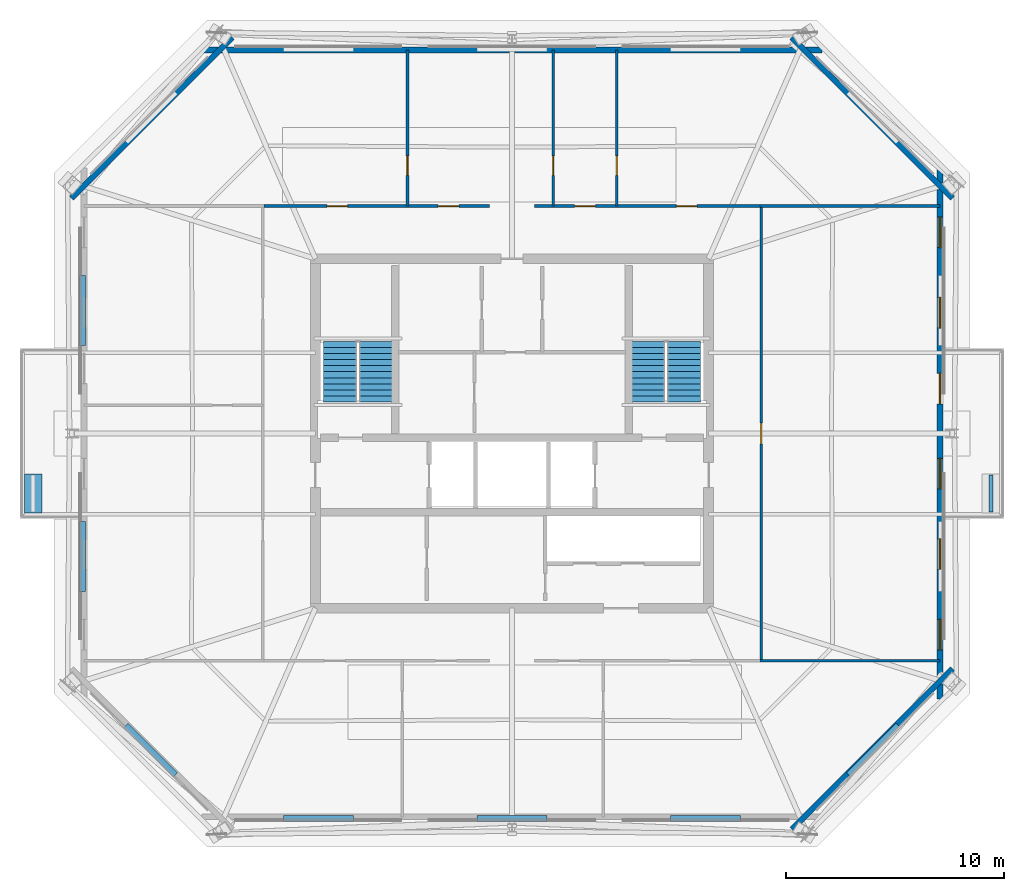
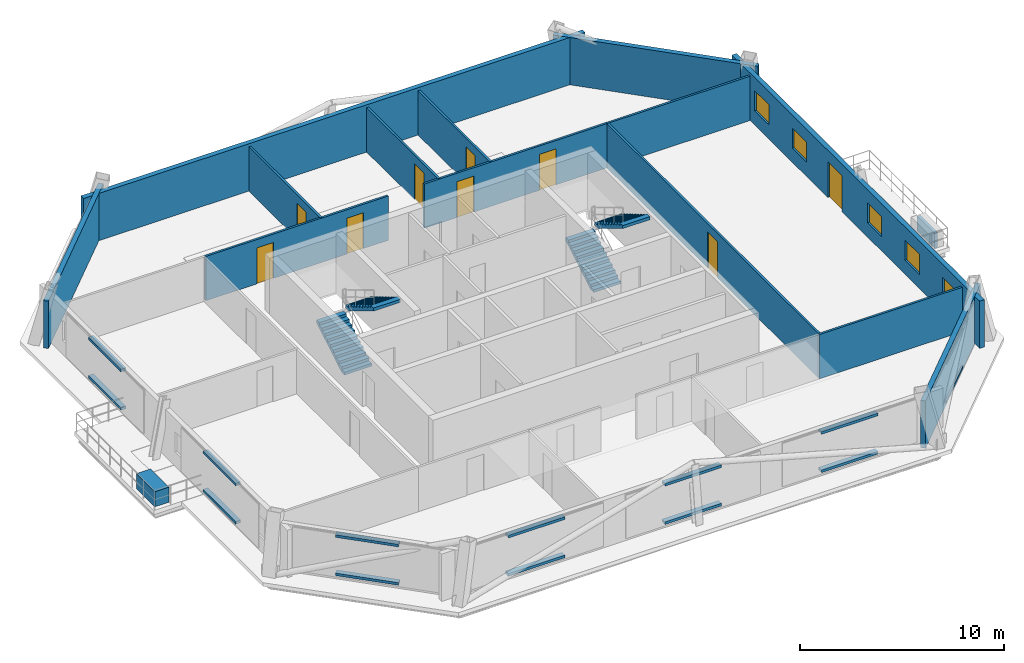
# One storey, part 4 of 7: 14 discrete accessories, 14 walls, 9 doors, 5 windows, 4 stair flights, 14 openings, 2 elements without a shape of their own.
"""IFC4 building model written with IfcOpenShell, lengths in metres."""

from ifc_helpers import new_model, si_unit, direction, frame, frame_2d, origin, origin_2d, place, context, subcontext, project, spatial, polyline, rectangle, outline, extrude, material, layer, layer_set, type_object, element, fill, aggregate, save


model = new_model("IFC4")

# Units and contexts
model_context = context("Model", 3, precision=1e-05, world=origin(), true_north=direction((0.0, 1.0)))
body_context = subcontext(model_context, "Body", "Model", "MODEL_VIEW")
ifc_project = project(units=[si_unit("LENGTHUNIT", "METRE"), si_unit("AREAUNIT", "SQUARE_METRE"), si_unit("VOLUMEUNIT", "CUBIC_METRE"), si_unit("PLANEANGLEUNIT", "RADIAN"), si_unit("MASSUNIT", "GRAM", prefix="KILO")], contexts=[model_context])

# Site, building, storey
site_placement = place(None, origin())
site = spatial("IfcSite", under=ifc_project, at=site_placement, CompositionType="ELEMENT")
building_placement = place(site_placement, origin())
building = spatial("IfcBuilding", under=site, at=building_placement, Name="Caelvoria Tower", CompositionType="ELEMENT")
storey_placement = place(building_placement, frame((0.0, 0.0, 227.39990234375)))
storey = spatial("IfcBuildingStorey", under=building, at=storey_placement, Name="L60", CompositionType="ELEMENT", Elevation=227.39990234375)

# Wall
ifc_material_1 = material(Name="Bronze-Clad Concrete C40/50", Category="concrete")
ifc_layer_1 = layer(ifc_material_1, 0.179931640625, Name="Bronze-Clad Concrete C40/50")
ifc_layer_set_1 = layer_set([ifc_layer_1], Name="Architectural Planter Kerb Wall 180 - Bronze-Clad Concrete C40/50")
wall_type_1 = type_object("IfcWallType", Name="Architectural Planter Kerb Wall 180", PredefinedType="PARAPET", material=ifc_layer_set_1)
wall_1_placement = place(storey_placement, frame((67.922607421875, 28.39990234375, 0.0), z_axis=(0.0, 0.0, 1.0), x_axis=(0.0, 1.0, 0.0)))
element("IfcWall", 1, at=wall_1_placement, inside=storey, type_object=wall_type_1, Name="Tree Balcony Planter Kerb PLANTER TB-L60-E", PredefinedType="PARAPET", context=body_context, shape_type="SweptSolid", body=[
    extrude(rectangle(XDim=1.7001953125, YDim=0.179931640625, at=frame_2d((0.85009765625, 0.0))), origin(), (0.0, 0.0, 1.0), 0.880126953125),
])

# Wall, opening, door
ifc_material_2 = material(Name="Acoustic Gypsum Board on Light-Gauge Stud", Category="gypsum")
ifc_layer_2 = layer(ifc_material_2, 0.1201171875, Name="Acoustic Gypsum Board on Light-Gauge Stud")
ifc_layer_set_2 = layer_set([ifc_layer_2], Name="Tenant Suite Acoustic Partition Wall 120 - Acoustic Gypsum Board on Light-Gauge Stud")
wall_type_2 = type_object("IfcWallType", Name="Tenant Suite Acoustic Partition Wall 120", PredefinedType="PARTITIONING", material=ifc_layer_set_2)
wall_2_placement = place(storey_placement, frame((41.217041015625, 42.409912109375, 0.0), z_axis=(0.0, 0.0, 1.0), x_axis=(0.0, 1.0, 0.0)))
wall_2 = element("IfcWall", 2, at=wall_2_placement, inside=storey, type_object=wall_type_2, Name="Interior Partition IW-L60-ND-00-0", PredefinedType="PARTITIONING", context=body_context, shape_type="SweptSolid", body=[
    extrude(rectangle(XDim=7.137451171875, YDim=0.1201171875, at=frame_2d((3.56884765625, 0.0))), origin(), (0.0, 0.0, 1.0), 2.655029296875),
])
opening_1_placement = place(wall_2_placement, frame((1.39990234375, 0.0, 0.0)))
opening_1 = element("IfcOpeningElement", 3, at=opening_1_placement, cuts=wall_2, Name="Opening ID-06", PredefinedType="OPENING", context=body_context, shape_type="SweptSolid", body=[
    extrude(rectangle(XDim=0.89990234375, YDim=2.14990234375, at=frame_2d((0.449951171875, 1.074951171875))), frame((0.0, 0.070068359375, 0.0), z_axis=(0.0, -1.0, 0.0), x_axis=(1.0, 0.0, 0.0)), (0.0, 0.0, 1.0), 0.14013671875),
])
ifc_material_3 = material(Name="Engineered Andean Oak Veneer Door", Category="wood")
door_type_1 = type_object("IfcDoorType", Name="Interior Timber Door 900x2150", OperationType="NOTDEFINED", PredefinedType="DOOR", material=ifc_material_3)
door_1_placement = place(opening_1_placement, origin())
door_1 = element("IfcDoor", 4, at=door_1_placement, inside=storey, type_object=door_type_1, Name="Interior Door DR-L60-NM-00-0", OperationType="SINGLE_SWING_RIGHT", OverallHeight=2.14990234375, OverallWidth=0.89990234375, PredefinedType="DOOR", context=body_context, shape_type="SweptSolid", body=[
    extrude(rectangle(XDim=0.89990234375, YDim=2.14990234375, at=frame_2d((0.449951171875, 1.074951171875))), frame((0.0, 0.02490234375, 0.0), z_axis=(0.0, -1.0, 0.0), x_axis=(1.0, 0.0, 0.0)), (0.0, 0.0, 1.0), 0.050048828125),
])
fill(opening_1, door_1)

wall_3_placement = place(storey_placement, frame((47.884521484375, 42.409912109375, 0.0), z_axis=(0.0, 0.0, 1.0), x_axis=(0.0, 1.0, 0.0)))
wall_3 = element("IfcWall", 5, at=wall_3_placement, inside=storey, type_object=wall_type_2, Name="Interior Partition IW-L60-ND-01-0", PredefinedType="PARTITIONING", context=body_context, shape_type="SweptSolid", body=[
    extrude(rectangle(XDim=7.137451171875, YDim=0.1201171875, at=frame_2d((3.56884765625, 0.0))), origin(), (0.0, 0.0, 1.0), 2.655029296875),
])
opening_2_placement = place(wall_3_placement, frame((1.39990234375, 0.0, 0.0)))
opening_2 = element("IfcOpeningElement", 6, at=opening_2_placement, cuts=wall_3, Name="Opening ID-06", PredefinedType="OPENING", context=body_context, shape_type="SweptSolid", body=[
    extrude(rectangle(XDim=0.89990234375, YDim=2.14990234375, at=frame_2d((0.449951171875, 1.074951171875))), frame((0.0, 0.070068359375, 0.0), z_axis=(0.0, -1.0, 0.0), x_axis=(1.0, 0.0, 0.0)), (0.0, 0.0, 1.0), 0.14013671875),
])
door_2_placement = place(opening_2_placement, origin())
door_2 = element("IfcDoor", 7, at=door_2_placement, inside=storey, type_object=door_type_1, Name="Interior Door DR-L60-NM-01-0", OperationType="SINGLE_SWING_LEFT", OverallHeight=2.14990234375, OverallWidth=0.89990234375, PredefinedType="DOOR", context=body_context, shape_type="SweptSolid", body=[
    extrude(rectangle(XDim=0.89990234375, YDim=2.14990234375, at=frame_2d((0.449951171875, 1.074951171875))), frame((0.0, 0.02490234375, 0.0), z_axis=(0.0, -1.0, 0.0), x_axis=(1.0, 0.0, 0.0)), (0.0, 0.0, 1.0), 0.050048828125),
])
fill(opening_2, door_2)

wall_4_placement = place(storey_placement, frame((50.796875, 42.409912109375, 0.0), z_axis=(0.0, 0.0, 1.0), x_axis=(0.0, 1.0, 0.0)))
wall_4 = element("IfcWall", 8, at=wall_4_placement, inside=storey, type_object=wall_type_2, Name="Interior Partition IW-L60-ND-02-0", PredefinedType="PARTITIONING", context=body_context, shape_type="SweptSolid", body=[
    extrude(rectangle(XDim=7.137451171875, YDim=0.1201171875, at=frame_2d((3.56884765625, 0.0))), origin(), (0.0, 0.0, 1.0), 2.655029296875),
])
opening_3_placement = place(wall_4_placement, frame((1.39990234375, 0.0, 0.0)))
opening_3 = element("IfcOpeningElement", 9, at=opening_3_placement, cuts=wall_4, Name="Opening ID-06", PredefinedType="OPENING", context=body_context, shape_type="SweptSolid", body=[
    extrude(rectangle(XDim=0.89990234375, YDim=2.14990234375, at=frame_2d((0.449951171875, 1.074951171875))), frame((0.0, 0.070068359375, 0.0), z_axis=(0.0, -1.0, 0.0), x_axis=(1.0, 0.0, 0.0)), (0.0, 0.0, 1.0), 0.14013671875),
])
door_3_placement = place(opening_3_placement, origin())
door_3 = element("IfcDoor", 10, at=door_3_placement, inside=storey, type_object=door_type_1, Name="Interior Door DR-L60-NM-02-0", OperationType="SINGLE_SWING_RIGHT", OverallHeight=2.14990234375, OverallWidth=0.89990234375, PredefinedType="DOOR", context=body_context, shape_type="SweptSolid", body=[
    extrude(rectangle(XDim=0.89990234375, YDim=2.14990234375, at=frame_2d((0.449951171875, 1.074951171875))), frame((0.0, 0.02490234375, 0.0), z_axis=(0.0, -1.0, 0.0), x_axis=(1.0, 0.0, 0.0)), (0.0, 0.0, 1.0), 0.050048828125),
])
fill(opening_3, door_3)

# Wall, openings, doors
wall_5_placement = place(storey_placement, frame((34.64990234375, 42.409912109375, 0.0), z_axis=(0.0, 0.0, 1.0), x_axis=(1.0, 0.0, 0.0)))
wall_5 = element("IfcWall", 11, at=wall_5_placement, inside=storey, type_object=wall_type_2, Name="Interior Partition IW-L60-NCW-0", PredefinedType="PARTITIONING", context=body_context, shape_type="SweptSolid", body=[
    extrude(rectangle(XDim=10.330078125, YDim=0.1201171875, at=frame_2d((5.1650390625, 0.0))), origin(), (0.0, 0.0, 1.0), 2.655029296875),
])
opening_4_placement = place(wall_5_placement, frame((2.87841796875, 0.0, 0.0)))
opening_4 = element("IfcOpeningElement", 12, at=opening_4_placement, cuts=wall_5, Name="Opening ID-05", PredefinedType="OPENING", context=body_context, shape_type="SweptSolid", body=[
    extrude(rectangle(XDim=0.949951171875, YDim=2.14990234375, at=frame_2d((0.47509765625, 1.074951171875))), frame((0.0, 0.070068359375, 0.0), z_axis=(0.0, -1.0, 0.0), x_axis=(1.0, 0.0, 0.0)), (0.0, 0.0, 1.0), 0.14013671875),
])
opening_5_placement = place(wall_5_placement, frame((7.9736328125, 0.0, 0.0)))
opening_5 = element("IfcOpeningElement", 13, at=opening_5_placement, cuts=wall_5, Name="Opening ID-05", PredefinedType="OPENING", context=body_context, shape_type="SweptSolid", body=[
    extrude(rectangle(XDim=0.949951171875, YDim=2.14990234375, at=frame_2d((0.47509765625, 1.074951171875))), frame((0.0, 0.070068359375, 0.0), z_axis=(0.0, -1.0, 0.0), x_axis=(1.0, 0.0, 0.0)), (0.0, 0.0, 1.0), 0.14013671875),
])
door_type_2 = type_object("IfcDoorType", Name="Interior Timber Door 950x2150", OperationType="NOTDEFINED", PredefinedType="DOOR", material=ifc_material_3)
door_4_placement = place(opening_4_placement, origin())
door_4 = element("IfcDoor", 14, at=door_4_placement, inside=storey, type_object=door_type_2, Name="Interior Door DR-L60-NC-00-0", OperationType="SINGLE_SWING_LEFT", OverallHeight=2.14990234375, OverallWidth=0.949951171875, PredefinedType="DOOR", context=body_context, shape_type="SweptSolid", body=[
    extrude(rectangle(XDim=0.949951171875, YDim=2.14990234375, at=frame_2d((0.47509765625, 1.074951171875))), frame((0.0, 0.02490234375, 0.0), z_axis=(0.0, -1.0, 0.0), x_axis=(1.0, 0.0, 0.0)), (0.0, 0.0, 1.0), 0.050048828125),
])
fill(opening_4, door_4)
door_5_placement = place(opening_5_placement, origin())
door_5 = element("IfcDoor", 15, at=door_5_placement, inside=storey, type_object=door_type_2, Name="Interior Door DR-L60-NC-01-0", OperationType="SINGLE_SWING_RIGHT", OverallHeight=2.14990234375, OverallWidth=0.949951171875, PredefinedType="DOOR", context=body_context, shape_type="SweptSolid", body=[
    extrude(rectangle(XDim=0.949951171875, YDim=2.14990234375, at=frame_2d((0.47509765625, 1.074951171875))), frame((0.0, 0.02490234375, 0.0), z_axis=(0.0, -1.0, 0.0), x_axis=(1.0, 0.0, 0.0)), (0.0, 0.0, 1.0), 0.050048828125),
])
fill(opening_5, door_5)

wall_6_placement = place(storey_placement, frame((47.02001953125, 42.409912109375, 0.0), z_axis=(0.0, 0.0, 1.0), x_axis=(1.0, 0.0, 0.0)))
wall_6 = element("IfcWall", 16, at=wall_6_placement, inside=storey, type_object=wall_type_2, Name="Interior Partition IW-L60-NCW-1", PredefinedType="PARTITIONING", context=body_context, shape_type="SweptSolid", body=[
    extrude(rectangle(XDim=10.330078125, YDim=0.1201171875, at=frame_2d((5.1650390625, 0.0))), origin(), (0.0, 0.0, 1.0), 2.655029296875),
])
opening_6_placement = place(wall_6_placement, frame((1.845703125, 0.0, 0.0)))
opening_6 = element("IfcOpeningElement", 17, at=opening_6_placement, cuts=wall_6, Name="Opening ID-05", PredefinedType="OPENING", context=body_context, shape_type="SweptSolid", body=[
    extrude(rectangle(XDim=0.949951171875, YDim=2.14990234375, at=frame_2d((0.47509765625, 1.074951171875))), frame((0.0, 0.070068359375, 0.0), z_axis=(0.0, -1.0, 0.0), x_axis=(1.0, 0.0, 0.0)), (0.0, 0.0, 1.0), 0.14013671875),
])
opening_7_placement = place(wall_6_placement, frame((6.508544921875, 0.0, 0.0)))
opening_7 = element("IfcOpeningElement", 18, at=opening_7_placement, cuts=wall_6, Name="Opening ID-05", PredefinedType="OPENING", context=body_context, shape_type="SweptSolid", body=[
    extrude(rectangle(XDim=0.949951171875, YDim=2.14990234375, at=frame_2d((0.47509765625, 1.074951171875))), frame((0.0, 0.070068359375, 0.0), z_axis=(0.0, -1.0, 0.0), x_axis=(1.0, 0.0, 0.0)), (0.0, 0.0, 1.0), 0.14013671875),
])
door_6_placement = place(opening_6_placement, origin())
door_6 = element("IfcDoor", 19, at=door_6_placement, inside=storey, type_object=door_type_2, Name="Interior Door DR-L60-NC-02-0", OperationType="SINGLE_SWING_LEFT", OverallHeight=2.14990234375, OverallWidth=0.949951171875, PredefinedType="DOOR", context=body_context, shape_type="SweptSolid", body=[
    extrude(rectangle(XDim=0.949951171875, YDim=2.14990234375, at=frame_2d((0.47509765625, 1.074951171875))), frame((0.0, 0.02490234375, 0.0), z_axis=(0.0, -1.0, 0.0), x_axis=(1.0, 0.0, 0.0)), (0.0, 0.0, 1.0), 0.050048828125),
])
fill(opening_6, door_6)
door_7_placement = place(opening_7_placement, origin())
door_7 = element("IfcDoor", 20, at=door_7_placement, inside=storey, type_object=door_type_2, Name="Interior Door DR-L60-NC-03-0", OperationType="SINGLE_SWING_RIGHT", OverallHeight=2.14990234375, OverallWidth=0.949951171875, PredefinedType="DOOR", context=body_context, shape_type="SweptSolid", body=[
    extrude(rectangle(XDim=0.949951171875, YDim=2.14990234375, at=frame_2d((0.47509765625, 1.074951171875))), frame((0.0, 0.02490234375, 0.0), z_axis=(0.0, -1.0, 0.0), x_axis=(1.0, 0.0, 0.0)), (0.0, 0.0, 1.0), 0.050048828125),
])
fill(opening_7, door_7)

# Wall, opening, door
wall_7_placement = place(storey_placement, frame((57.409912109375, 21.64990234375, 0.0), z_axis=(0.0, 0.0, 1.0), x_axis=(0.0, 1.0, 0.0)))
wall_7 = element("IfcWall", 21, at=wall_7_placement, inside=storey, type_object=wall_type_2, Name="Interior Partition IW-L60-ECW-0", PredefinedType="PARTITIONING", context=body_context, shape_type="SweptSolid", body=[
    extrude(rectangle(XDim=20.7001953125, YDim=0.1201171875, at=frame_2d((10.35009765625, 0.0))), origin(), (0.0, 0.0, 1.0), 2.655029296875),
])
opening_8_placement = place(wall_7_placement, frame((9.875, 0.0, 0.0)))
opening_8 = element("IfcOpeningElement", 22, at=opening_8_placement, cuts=wall_7, Name="Opening ID-05", PredefinedType="OPENING", context=body_context, shape_type="SweptSolid", body=[
    extrude(rectangle(XDim=0.949951171875, YDim=2.14990234375, at=frame_2d((0.47509765625, 1.074951171875))), frame((0.0, 0.070068359375, 0.0), z_axis=(0.0, -1.0, 0.0), x_axis=(1.0, 0.0, 0.0)), (0.0, 0.0, 1.0), 0.14013671875),
])
door_8_placement = place(opening_8_placement, origin())
door_8 = element("IfcDoor", 23, at=door_8_placement, inside=storey, type_object=door_type_2, Name="Interior Door DR-L60-EC-00-0", OperationType="SINGLE_SWING_LEFT", OverallHeight=2.14990234375, OverallWidth=0.949951171875, PredefinedType="DOOR", context=body_context, shape_type="SweptSolid", body=[
    extrude(rectangle(XDim=0.949951171875, YDim=2.14990234375, at=frame_2d((0.47509765625, 1.074951171875))), frame((0.0, 0.02490234375, 0.0), z_axis=(0.0, -1.0, 0.0), x_axis=(1.0, 0.0, 0.0)), (0.0, 0.0, 1.0), 0.050048828125),
])
fill(opening_8, door_8)

# Walls
for number, where, z_axis, x_axis, name in (
    (24, (57.35009765625, 21.590087890625, 0.0), (0.0, 0.0, 1.0), (1.0, 0.0, 0.0), "Interior Partition IW-L60-BSE-0"),
    (25, (57.35009765625, 42.409912109375, 0.0), (0.0, 0.0, 1.0), (1.0, 0.0, 0.0), "Interior Partition IW-L60-BNE-0"),
):
    element("IfcWall", number, at=place(storey_placement, frame(where, z_axis=z_axis, x_axis=x_axis)), inside=storey, type_object=wall_type_2, Name=name, PredefinedType="PARTITIONING", context=body_context, shape_type="SweptSolid", body=[
        extrude(rectangle(XDim=8.24267578125, YDim=0.1201171875, at=frame_2d((4.121337890625, 0.0))), origin(), (0.0, 0.0, 1.0), 2.655029296875),
    ])
ifc_material_4 = material(Name="Precast Concrete C40/50 with Bronze Cladding", Category="concrete")
ifc_layer_3 = layer(ifc_material_4, 0.264892578125, Name="Precast Concrete C40/50 with Bronze Cladding")
ifc_layer_set_3 = layer_set([ifc_layer_3], Name="Upper Taper Precast Concrete C40/50 Bronze Facade Wall 265 - Precast Concrete C40/50 with Bronze Cladding")
wall_type_3 = type_object("IfcWallType", Name="Upper Taper Precast Concrete C40/50 Bronze Facade Wall 265", PredefinedType="STANDARD", material=ifc_layer_set_3)
wall_8_placement = place(storey_placement, frame((58.80908203125, 13.87890625, 0.0), z_axis=(0.0, 0.0, 1.0), x_axis=(0.707106781187, 0.707106781187, 0.0)))
element("IfcWall", 26, at=wall_8_placement, inside=storey, type_object=wall_type_3, Name="Exterior Facade Wall L60-E1", PredefinedType="STANDARD", context=body_context, shape_type="SweptSolid", body=[
    extrude(rectangle(XDim=10.405029296875, YDim=0.264892578125, at=frame_2d((5.20263671875, 0.0))), origin(), (0.0, 0.0, 1.0), 2.83203125),
])

# Wall, openings, windows, door
wall_9_placement = place(storey_placement, frame((65.5927734375, 19.850830078125, 0.0), z_axis=(0.0, 0.0, 1.0), x_axis=(0.0, 1.0, 0.0)))
wall_9 = element("IfcWall", 27, at=wall_9_placement, inside=storey, type_object=wall_type_3, Name="Exterior Facade Wall L60-E2", PredefinedType="STANDARD", context=body_context, shape_type="SweptSolid", body=[
    extrude(rectangle(XDim=24.29833984375, YDim=0.264892578125, at=frame_2d((12.149169921875, 0.0))), origin(), (0.0, 0.0, 1.0), 2.83203125),
])
opening_9_placement = place(wall_9_placement, frame((13.4990234375, 0.0, 0.0)))
opening_9 = element("IfcOpeningElement", 28, at=opening_9_placement, cuts=wall_9, Name="Opening ED-04", PredefinedType="OPENING", context=body_context, shape_type="SweptSolid", body=[
    extrude(rectangle(XDim=1.39990234375, YDim=2.14990234375, at=frame_2d((0.699951171875, 1.074951171875))), frame((0.0, 0.142333984375, 0.0), z_axis=(0.0, -1.0, 0.0), x_axis=(1.0, 0.0, 0.0)), (0.0, 0.0, 1.0), 0.284912109375),
])
opening_10_placement = place(wall_9_placement, frame((2.241455078125, 0.0, 0.85009765625)))
opening_10 = element("IfcOpeningElement", 29, at=opening_10_placement, cuts=wall_9, Name="Opening WN-06", PredefinedType="OPENING", context=body_context, shape_type="SweptSolid", body=[
    extrude(rectangle(XDim=1.39990234375, YDim=1.199951171875, at=frame_2d((0.699951171875, 0.60009765625))), frame((0.0, 0.142333984375, 0.0), z_axis=(0.0, -1.0, 0.0), x_axis=(1.0, 0.0, 0.0)), (0.0, 0.0, 1.0), 0.284912109375),
])
opening_11_placement = place(wall_9_placement, frame((5.924560546875, 0.0, 0.85009765625)))
opening_11 = element("IfcOpeningElement", 30, at=opening_11_placement, cuts=wall_9, Name="Opening WN-06", PredefinedType="OPENING", context=body_context, shape_type="SweptSolid", body=[
    extrude(rectangle(XDim=1.39990234375, YDim=1.199951171875, at=frame_2d((0.699951171875, 0.60009765625))), frame((0.0, 0.142333984375, 0.0), z_axis=(0.0, -1.0, 0.0), x_axis=(1.0, 0.0, 0.0)), (0.0, 0.0, 1.0), 0.284912109375),
])
opening_12_placement = place(wall_9_placement, frame((9.607666015625, 0.0, 0.85009765625)))
opening_12 = element("IfcOpeningElement", 31, at=opening_12_placement, cuts=wall_9, Name="Opening WN-06", PredefinedType="OPENING", context=body_context, shape_type="SweptSolid", body=[
    extrude(rectangle(XDim=1.39990234375, YDim=1.199951171875, at=frame_2d((0.699951171875, 0.60009765625))), frame((0.0, 0.142333984375, 0.0), z_axis=(0.0, -1.0, 0.0), x_axis=(1.0, 0.0, 0.0)), (0.0, 0.0, 1.0), 0.284912109375),
])
opening_13_placement = place(wall_9_placement, frame((16.9736328125, 0.0, 0.85009765625)))
opening_13 = element("IfcOpeningElement", 32, at=opening_13_placement, cuts=wall_9, Name="Opening WN-06", PredefinedType="OPENING", context=body_context, shape_type="SweptSolid", body=[
    extrude(rectangle(XDim=1.39990234375, YDim=1.199951171875, at=frame_2d((0.699951171875, 0.60009765625))), frame((0.0, 0.142333984375, 0.0), z_axis=(0.0, -1.0, 0.0), x_axis=(1.0, 0.0, 0.0)), (0.0, 0.0, 1.0), 0.284912109375),
])
opening_14_placement = place(wall_9_placement, frame((20.65673828125, 0.0, 0.85009765625)))
opening_14 = element("IfcOpeningElement", 33, at=opening_14_placement, cuts=wall_9, Name="Opening WN-06", PredefinedType="OPENING", context=body_context, shape_type="SweptSolid", body=[
    extrude(rectangle(XDim=1.39990234375, YDim=1.199951171875, at=frame_2d((0.699951171875, 0.60009765625))), frame((0.0, 0.142333984375, 0.0), z_axis=(0.0, -1.0, 0.0), x_axis=(1.0, 0.0, 0.0)), (0.0, 0.0, 1.0), 0.284912109375),
])
ifc_material_5 = material(Name="Low-E Tinted Glass in Bronze Aluminium Frame", Category="aluminium")
window_type = type_object("IfcWindowType", Name="Podium Clerestory Window 1400x1200", PartitioningType="SINGLE_PANEL", PredefinedType="WINDOW", material=ifc_material_5)
window_1_placement = place(opening_10_placement, origin())
window_1 = element("IfcWindow", 34, at=window_1_placement, inside=storey, type_object=window_type, Name="Facade Window L60-E2-00", OverallHeight=1.199951171875, OverallWidth=1.39990234375, PartitioningType="SINGLE_PANEL", PredefinedType="WINDOW", context=body_context, shape_type="SweptSolid", body=[
    extrude(rectangle(XDim=1.39990234375, YDim=1.199951171875, at=frame_2d((0.699951171875, 0.60009765625))), frame((0.0, 0.030029296875, 0.0), z_axis=(0.0, -1.0, 0.0), x_axis=(1.0, 0.0, 0.0)), (0.0, 0.0, 1.0), 0.06005859375),
])
fill(opening_10, window_1)
window_2_placement = place(opening_11_placement, origin())
window_2 = element("IfcWindow", 35, at=window_2_placement, inside=storey, type_object=window_type, Name="Facade Window L60-E2-01", OverallHeight=1.199951171875, OverallWidth=1.39990234375, PartitioningType="SINGLE_PANEL", PredefinedType="WINDOW", context=body_context, shape_type="SweptSolid", body=[
    extrude(rectangle(XDim=1.39990234375, YDim=1.199951171875, at=frame_2d((0.699951171875, 0.60009765625))), frame((0.0, 0.030029296875, 0.0), z_axis=(0.0, -1.0, 0.0), x_axis=(1.0, 0.0, 0.0)), (0.0, 0.0, 1.0), 0.06005859375),
])
fill(opening_11, window_2)
window_3_placement = place(opening_12_placement, origin())
window_3 = element("IfcWindow", 36, at=window_3_placement, inside=storey, type_object=window_type, Name="Facade Window L60-E2-02", OverallHeight=1.199951171875, OverallWidth=1.39990234375, PartitioningType="SINGLE_PANEL", PredefinedType="WINDOW", context=body_context, shape_type="SweptSolid", body=[
    extrude(rectangle(XDim=1.39990234375, YDim=1.199951171875, at=frame_2d((0.699951171875, 0.60009765625))), frame((0.0, 0.030029296875, 0.0), z_axis=(0.0, -1.0, 0.0), x_axis=(1.0, 0.0, 0.0)), (0.0, 0.0, 1.0), 0.06005859375),
])
fill(opening_12, window_3)
window_4_placement = place(opening_13_placement, origin())
window_4 = element("IfcWindow", 37, at=window_4_placement, inside=storey, type_object=window_type, Name="Facade Window L60-E2-04", OverallHeight=1.199951171875, OverallWidth=1.39990234375, PartitioningType="SINGLE_PANEL", PredefinedType="WINDOW", context=body_context, shape_type="SweptSolid", body=[
    extrude(rectangle(XDim=1.39990234375, YDim=1.199951171875, at=frame_2d((0.699951171875, 0.60009765625))), frame((0.0, 0.030029296875, 0.0), z_axis=(0.0, -1.0, 0.0), x_axis=(1.0, 0.0, 0.0)), (0.0, 0.0, 1.0), 0.06005859375),
])
fill(opening_13, window_4)
window_5_placement = place(opening_14_placement, origin())
window_5 = element("IfcWindow", 38, at=window_5_placement, inside=storey, type_object=window_type, Name="Facade Window L60-E2-05", OverallHeight=1.199951171875, OverallWidth=1.39990234375, PartitioningType="SINGLE_PANEL", PredefinedType="WINDOW", context=body_context, shape_type="SweptSolid", body=[
    extrude(rectangle(XDim=1.39990234375, YDim=1.199951171875, at=frame_2d((0.699951171875, 0.60009765625))), frame((0.0, 0.030029296875, 0.0), z_axis=(0.0, -1.0, 0.0), x_axis=(1.0, 0.0, 0.0)), (0.0, 0.0, 1.0), 0.06005859375),
])
fill(opening_14, window_5)
ifc_material_6 = material(Name="Anodised Bronze Aluminium and Laminated Glass", Category="aluminium")
door_type_3 = type_object("IfcDoorType", Name="Tree Balcony Glazed Door 1400x2150", OperationType="NOTDEFINED", PredefinedType="DOOR", material=ifc_material_6)
door_9_placement = place(opening_9_placement, origin())
door_9 = element("IfcDoor", 39, at=door_9_placement, inside=storey, type_object=door_type_3, Name="Tree Balcony Door L60-E", OperationType="SINGLE_SWING_LEFT", OverallHeight=2.14990234375, OverallWidth=1.39990234375, PredefinedType="DOOR", context=body_context, shape_type="SweptSolid", body=[
    extrude(rectangle(XDim=1.39990234375, YDim=2.14990234375, at=frame_2d((0.699951171875, 1.074951171875))), frame((0.0, 0.02490234375, 0.0), z_axis=(0.0, -1.0, 0.0), x_axis=(1.0, 0.0, 0.0)), (0.0, 0.0, 1.0), 0.050048828125),
])
fill(opening_9, door_9)

# Walls
wall_10_placement = place(storey_placement, frame((66.16650390625, 42.763671875, 0.0), z_axis=(0.0, 0.0, 1.0), x_axis=(-0.707106781187, 0.707106781187, 0.0)))
element("IfcWall", 40, at=wall_10_placement, inside=storey, type_object=wall_type_3, Name="Exterior Facade Wall L60-E3", PredefinedType="STANDARD", context=body_context, shape_type="SweptSolid", body=[
    extrude(rectangle(XDim=10.405029296875, YDim=0.264892578125, at=frame_2d((5.20263671875, 0.0))), origin(), (0.0, 0.0, 1.0), 2.83203125),
])
wall_11_placement = place(storey_placement, frame((60.194580078125, 49.54736328125, 0.0), z_axis=(0.0, 0.0, 1.0), x_axis=(-1.0, 0.0, 0.0)))
element("IfcWall", 41, at=wall_11_placement, inside=storey, type_object=wall_type_3, Name="Exterior Facade Wall L60-E4", PredefinedType="STANDARD", context=body_context, shape_type="SweptSolid", body=[
    extrude(rectangle(XDim=28.38916015625, YDim=0.264892578125, at=frame_2d((14.194580078125, 0.0))), origin(), (0.0, 0.0, 1.0), 2.83203125),
])
wall_12_placement = place(storey_placement, frame((33.19091796875, 50.12109375, 0.0), z_axis=(0.0, 0.0, 1.0), x_axis=(-0.707106781187, -0.707106781187, 0.0)))
element("IfcWall", 42, at=wall_12_placement, inside=storey, type_object=wall_type_3, Name="Exterior Facade Wall L60-E5", PredefinedType="STANDARD", context=body_context, shape_type="SweptSolid", body=[
    extrude(rectangle(XDim=10.405029296875, YDim=0.264892578125, at=frame_2d((5.20263671875, 0.0))), origin(), (0.0, 0.0, 1.0), 2.83203125),
])

# Stair, stair flights
ifc_material_7 = material(Name="Concrete C40/50", Category="concrete")
stair_type = type_object("IfcStairType", Name="Core Smokeproof Dogleg Stair Concrete C40/50", PredefinedType="HALF_TURN_STAIR", material=ifc_material_7)
stair_1_placement = place(storey_placement, origin())
stair_1 = element("IfcStair", 43, at=stair_1_placement, inside=storey, type_object=stair_type, Name="ST-01 Smokeproof Exit Stair L60", PredefinedType="HALF_TURN_STAIR")
ifc_material_8 = material(Name="Precast Concrete C40/50", Category="concrete")
stair_flight_type = type_object("IfcStairFlightType", Name="Precast Concrete C40/50 Stair Flight 1480", PredefinedType="STRAIGHT", material=ifc_material_8)
stair_flight_1_placement = place(storey_placement, frame((38.1298828125, 33.449951171875, 0.0), z_axis=(0.0, 0.0, 1.0), x_axis=(0.0, 1.0, 0.0)))
stair_flight_1 = element("IfcStairFlight", 44, at=stair_flight_1_placement, type_object=stair_flight_type, Name="ST-01 flight 1", NumberOfRisers=11, NumberOfTreads=10, PredefinedType="STRAIGHT", RiserHeight=0.1636, TreadLength=0.275, context=body_context, shape_type="SweptSolid", body=[
    extrude(outline(polyline([(0.0, 0.0), (0.0, 0.16357421875), (0.27490234375, 0.16357421875), (0.27490234375, 0.3271484375), (0.550048828125, 0.3271484375), (0.550048828125, 0.49072265625), (0.824951171875, 0.49072265625), (0.824951171875, 0.654296875), (1.10009765625, 0.654296875), (1.10009765625, 0.818115234375), (1.375, 0.818115234375), (1.375, 0.981689453125), (1.64990234375, 0.981689453125), (1.64990234375, 1.145263671875), (1.925048828125, 1.145263671875), (1.925048828125, 1.308837890625), (2.199951171875, 1.308837890625), (2.199951171875, 1.472412109375), (2.47509765625, 1.472412109375), (2.47509765625, 1.635986328125), (2.75, 1.635986328125), (2.75, 1.799560546875), (2.75, 1.449951171875), (0.312744140625, 0.0), (0.0, 0.0)])), frame((0.0, 0.77001953125, 0.0), z_axis=(0.0, -1.0, 0.0), x_axis=(1.0, 0.0, 0.0)), (0.0, 0.0, 1.0), 1.5400390625),
])
stair_flight_2_placement = place(storey_placement, frame((39.77001953125, 36.199951171875, 1.800048828125), z_axis=(0.0, 0.0, 1.0), x_axis=(0.0, -1.0, 0.0)))
stair_flight_2 = element("IfcStairFlight", 45, at=stair_flight_2_placement, type_object=stair_flight_type, Name="ST-01 flight 2", NumberOfRisers=11, NumberOfTreads=10, PredefinedType="STRAIGHT", RiserHeight=0.1636, TreadLength=0.275, context=body_context, shape_type="SweptSolid", body=[
    extrude(outline(polyline([(0.0, 0.0), (0.0, 0.16357421875), (0.27490234375, 0.16357421875), (0.27490234375, 0.3271484375), (0.550048828125, 0.3271484375), (0.550048828125, 0.49072265625), (0.824951171875, 0.49072265625), (0.824951171875, 0.654296875), (1.10009765625, 0.654296875), (1.10009765625, 0.818115234375), (1.375, 0.818115234375), (1.375, 0.981689453125), (1.64990234375, 0.981689453125), (1.64990234375, 1.145263671875), (1.925048828125, 1.145263671875), (1.925048828125, 1.308837890625), (2.199951171875, 1.308837890625), (2.199951171875, 1.472412109375), (2.47509765625, 1.472412109375), (2.47509765625, 1.635986328125), (2.75, 1.635986328125), (2.75, 1.799560546875), (2.75, 1.449951171875), (0.312744140625, 0.0), (0.0, 0.0)])), frame((0.0, 0.77001953125, 0.0), z_axis=(0.0, -1.0, 0.0), x_axis=(1.0, 0.0, 0.0)), (0.0, 0.0, 1.0), 1.5400390625),
])
aggregate(stair_1, [stair_flight_1, stair_flight_2])

stair_2_placement = place(storey_placement, origin())
stair_2 = element("IfcStair", 46, at=stair_2_placement, inside=storey, type_object=stair_type, Name="ST-02 Smokeproof Exit Stair L60", PredefinedType="HALF_TURN_STAIR")
stair_flight_3_placement = place(storey_placement, frame((52.22998046875, 33.449951171875, 0.0), z_axis=(0.0, 0.0, 1.0), x_axis=(0.0, 1.0, 0.0)))
stair_flight_3 = element("IfcStairFlight", 47, at=stair_flight_3_placement, type_object=stair_flight_type, Name="ST-02 flight 1", NumberOfRisers=11, NumberOfTreads=10, PredefinedType="STRAIGHT", RiserHeight=0.1636, TreadLength=0.275, context=body_context, shape_type="SweptSolid", body=[
    extrude(outline(polyline([(0.0, 0.0), (0.0, 0.16357421875), (0.27490234375, 0.16357421875), (0.27490234375, 0.3271484375), (0.550048828125, 0.3271484375), (0.550048828125, 0.49072265625), (0.824951171875, 0.49072265625), (0.824951171875, 0.654296875), (1.10009765625, 0.654296875), (1.10009765625, 0.818115234375), (1.375, 0.818115234375), (1.375, 0.981689453125), (1.64990234375, 0.981689453125), (1.64990234375, 1.145263671875), (1.925048828125, 1.145263671875), (1.925048828125, 1.308837890625), (2.199951171875, 1.308837890625), (2.199951171875, 1.472412109375), (2.47509765625, 1.472412109375), (2.47509765625, 1.635986328125), (2.75, 1.635986328125), (2.75, 1.799560546875), (2.75, 1.449951171875), (0.312744140625, 0.0), (0.0, 0.0)])), frame((0.0, 0.77001953125, 0.0), z_axis=(0.0, -1.0, 0.0), x_axis=(1.0, 0.0, 0.0)), (0.0, 0.0, 1.0), 1.5400390625),
])
stair_flight_4_placement = place(storey_placement, frame((53.8701171875, 36.199951171875, 1.800048828125), z_axis=(0.0, 0.0, 1.0), x_axis=(0.0, -1.0, 0.0)))
stair_flight_4 = element("IfcStairFlight", 48, at=stair_flight_4_placement, type_object=stair_flight_type, Name="ST-02 flight 2", NumberOfRisers=11, NumberOfTreads=10, PredefinedType="STRAIGHT", RiserHeight=0.1636, TreadLength=0.275, context=body_context, shape_type="SweptSolid", body=[
    extrude(outline(polyline([(0.0, 0.0), (0.0, 0.16357421875), (0.27490234375, 0.16357421875), (0.27490234375, 0.3271484375), (0.550048828125, 0.3271484375), (0.550048828125, 0.49072265625), (0.824951171875, 0.49072265625), (0.824951171875, 0.654296875), (1.10009765625, 0.654296875), (1.10009765625, 0.818115234375), (1.375, 0.818115234375), (1.375, 0.981689453125), (1.64990234375, 0.981689453125), (1.64990234375, 1.145263671875), (1.925048828125, 1.145263671875), (1.925048828125, 1.308837890625), (2.199951171875, 1.308837890625), (2.199951171875, 1.472412109375), (2.47509765625, 1.472412109375), (2.47509765625, 1.635986328125), (2.75, 1.635986328125), (2.75, 1.799560546875), (2.75, 1.449951171875), (0.312744140625, 0.0), (0.0, 0.0)])), frame((0.0, 0.77001953125, 0.0), z_axis=(0.0, -1.0, 0.0), x_axis=(1.0, 0.0, 0.0)), (0.0, 0.0, 1.0), 1.5400390625),
])
aggregate(stair_2, [stair_flight_3, stair_flight_4])

# Discrete accessories
ifc_material_9 = material(Name="Anodised Bronze Stainless Bracket", Category="bronze")
discrete_accessory_type_1 = type_object("IfcDiscreteAccessoryType", Name="Solar Screen Outrigger Support Bracket", PredefinedType="BRACKET", material=ifc_material_9)
for number, where, z_axis, x_axis, name in (
    (49, (37.136962890625, 14.3798828125, 0.240234375), (0.0, 0.0, 1.0), (1.0, 0.0, 0.0), "Solar Screen Bracket L60-E0-00"),
    (50, (37.136962890625, 14.3798828125, 2.5322265625), (0.0, 0.0, 1.0), (1.0, 0.0, 0.0), "Upper Screen Band Bracket L60-E0-00"),
    (51, (46.0, 14.3798828125, 0.240234375), (0.0, 0.0, 1.0), (1.0, 0.0, 0.0), "Solar Screen Bracket L60-E0-01"),
    (52, (46.0, 14.3798828125, 2.5322265625), (0.0, 0.0, 1.0), (1.0, 0.0, 0.0), "Upper Screen Band Bracket L60-E0-01"),
    (53, (54.863037109375, 14.3798828125, 0.240234375), (0.0, 0.0, 1.0), (1.0, 0.0, 0.0), "Solar Screen Bracket L60-E0-02"),
    (54, (54.863037109375, 14.3798828125, 2.5322265625), (0.0, 0.0, 1.0), (1.0, 0.0, 0.0), "Upper Screen Band Bracket L60-E0-02"),
    (55, (62.539306640625, 17.506103515625, 0.240234375), (0.0, 0.0, 1.0), (0.707106781187, 0.707106781187, 0.0), "Solar Screen Bracket L60-E1-00"),
    (56, (26.33447265625, 37.62451171875, 0.240234375), (0.0, 0.0, 1.0), (0.0, -1.0, 0.0), "Solar Screen Bracket L60-E6-00"),
    (57, (26.33447265625, 37.62451171875, 2.5322265625), (0.0, 0.0, 1.0), (0.0, -1.0, 0.0), "Upper Screen Band Bracket L60-E6-00"),
    (58, (26.33447265625, 26.37548828125, 0.240234375), (0.0, 0.0, 1.0), (0.0, -1.0, 0.0), "Solar Screen Bracket L60-E6-01"),
    (59, (26.33447265625, 26.37548828125, 2.5322265625), (0.0, 0.0, 1.0), (0.0, -1.0, 0.0), "Upper Screen Band Bracket L60-E6-01"),
    (60, (29.460693359375, 17.506103515625, 0.240234375), (0.0, 0.0, 1.0), (0.707106781187, -0.707106781187, 0.0), "Solar Screen Bracket L60-E7-00"),
    (61, (29.460693359375, 17.506103515625, 2.5322265625), (0.0, 0.0, 1.0), (0.707106781187, -0.707106781187, 0.0), "Upper Screen Band Bracket L60-E7-00"),
):
    element("IfcDiscreteAccessory", number, at=place(storey_placement, frame(where, z_axis=z_axis, x_axis=x_axis)), inside=storey, type_object=discrete_accessory_type_1, Name=name, PredefinedType="BRACKET", context=body_context, shape_type="SweptSolid", body=[
        extrude(rectangle(XDim=3.199951171875, YDim=0.280029296875, at=origin_2d()), origin(), (0.0, 0.0, 1.0), 0.159912109375),
    ])
ifc_material_10 = material(Name="Bronze-Clad Concrete C40/50 Planter Vessel", Category="concrete")
discrete_accessory_type_2 = type_object("IfcDiscreteAccessoryType", Name="Tree Balcony Structural Planter Vessel PLANTER", PredefinedType="USERDEFINED", material=ifc_material_10)
discrete_accessory_placement = place(storey_placement, frame((24.077392578125, 29.25, 0.000244140625), z_axis=(0.0, 0.0, 1.0), x_axis=(0.0, 1.0, 0.0)))
element("IfcDiscreteAccessory", 62, at=discrete_accessory_placement, inside=storey, type_object=discrete_accessory_type_2, Name="Tree Balcony Planter TB-L60-W", ObjectType="PLANTER", PredefinedType="USERDEFINED", context=body_context, shape_type="SweptSolid", body=[
    extrude(rectangle(XDim=1.800048828125, YDim=0.800048828125, at=origin_2d()), origin(), (0.0, 0.0, 1.0), 0.89990234375),
])

save(model, "model.ifc")
